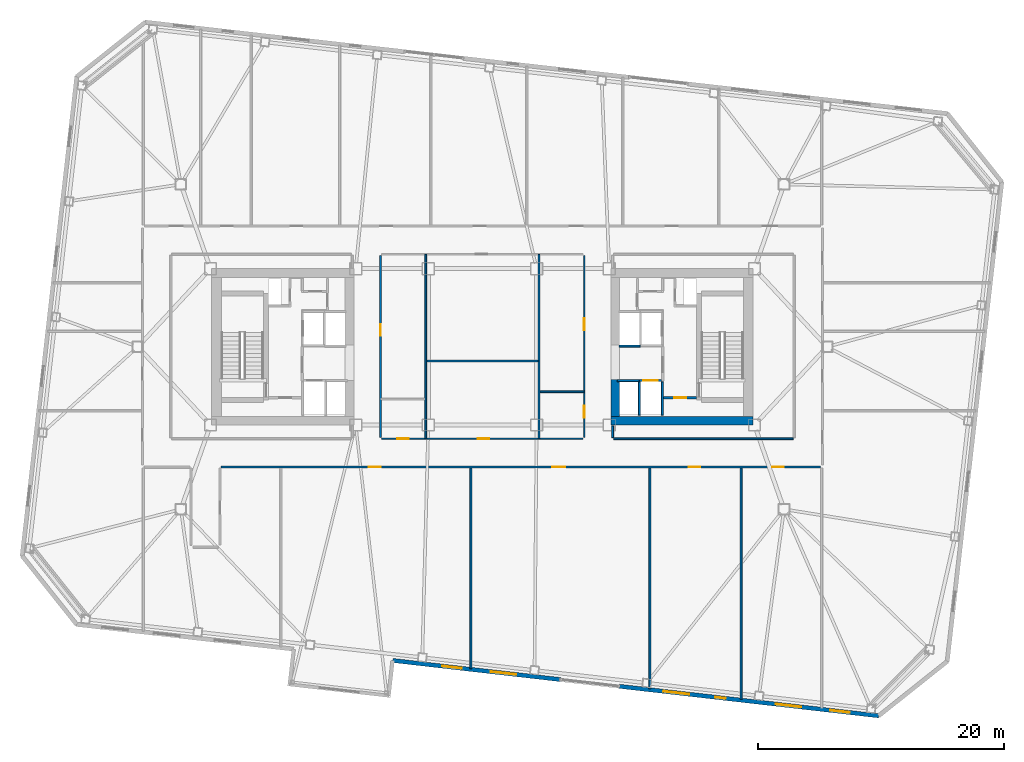
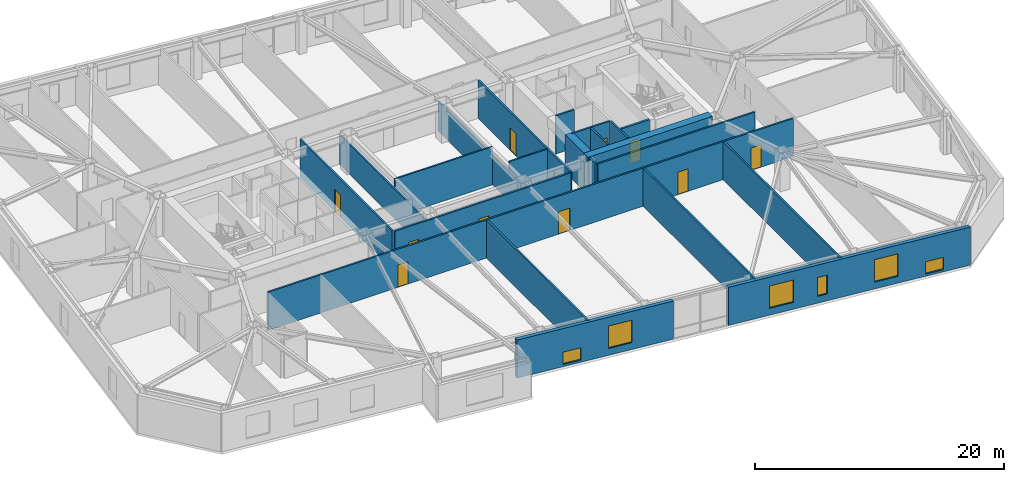
# One storey, part 11 of 19: 23 walls, 11 doors, 6 windows, 17 openings.
"""IFC4 building model written with IfcOpenShell, lengths in metres."""

import ifcopenshell
import ifcopenshell.guid

model = None  # the IFC model being written
_history = None  # IfcOwnerHistory: only IFC2X3 demands one
_inside = {}  # id of a spatial element -> (the spatial element, [elements in it])
_under = {}  # id of a project, library or spatial element -> (it, [spatial elements below it])
_declared = {}  # id of a project -> (the project, [libraries it declares])
_typed = {}  # id of a type object -> (the type object, [elements of that type])
_made_of = {}  # id of a material, layer set ... -> (it, [elements and type objects made of it])


def new_model(schema):
    """Start an empty IFC model of exactly this schema.

    Asked for "IFC4X3", IfcOpenShell would pick the latest addendum, in which some entities
    have other attributes; the version numbers below select the first issue.
    IFC2X3 requires an IfcOwnerHistory on every rooted entity: one is made here for all.
    """
    global model, _history
    if schema == "IFC4X3":
        model = ifcopenshell.file(schema_version=(4, 3, 0, 0))
    else:
        model = ifcopenshell.file(schema=schema)
    _inside.clear()
    _under.clear()
    _declared.clear()
    _typed.clear()
    _made_of.clear()
    _history = None
    if model.schema == "IFC2X3":
        org = make("IfcOrganization", Name="unknown")
        user = make(
            "IfcPersonAndOrganization",
            ThePerson=make("IfcPerson", FamilyName="unknown"),
            TheOrganization=org,
        )
        app = make(
            "IfcApplication",
            ApplicationDeveloper=org,
            Version="unknown",
            ApplicationFullName="unknown",
            ApplicationIdentifier="unknown",
        )
        _history = make(
            "IfcOwnerHistory",
            OwningUser=user,
            OwningApplication=app,
            ChangeAction="ADDED",
            CreationDate=0,
        )
    return model


def make(cls, **values):
    """One entity of the class cls with the attributes given. An attribute that is None is left unset."""
    return model.create_entity(
        cls, **{name: value for name, value in values.items() if value is not None}
    )


def rooted(cls, **values):
    """An entity with a GlobalId (a new one), such as an element, a storey or a relation."""
    return make(cls, GlobalId=ifcopenshell.guid.new(), OwnerHistory=_history, **values)


def si_unit(unit_type, name, prefix=None):
    """IfcSIUnit, for example si_unit("LENGTHUNIT", "METRE", prefix="MILLI")."""
    return make("IfcSIUnit", UnitType=unit_type, Prefix=prefix, Name=name)


def assignment(units):
    """IfcUnitAssignment: the units of a project."""
    return None if units is None else make("IfcUnitAssignment", Units=units)


def point(xyz):
    """IfcCartesianPoint."""
    return None if xyz is None else make("IfcCartesianPoint", Coordinates=xyz)


def direction(xyz):
    """IfcDirection."""
    return None if xyz is None else make("IfcDirection", DirectionRatios=xyz)


def frame(location, z_axis=None, x_axis=None):
    """IfcAxis2Placement3D, a coordinate frame: its origin and axes. An axis left out is left unset."""
    return make(
        "IfcAxis2Placement3D",
        Location=point(location),
        Axis=direction(z_axis),
        RefDirection=direction(x_axis),
    )


def frame_2d(location, x_axis=None):
    """IfcAxis2Placement2D, a coordinate frame in the plane: its origin and x axis."""
    return make(
        "IfcAxis2Placement2D", Location=point(location), RefDirection=direction(x_axis)
    )


def origin():
    """The frame at (0, 0, 0) with its axes left unset."""
    return frame((0.0, 0.0, 0.0))


def place(relative_to, where):
    """IfcLocalPlacement: puts the frame where relative to a parent placement (None: the world)."""
    return make(
        "IfcLocalPlacement", PlacementRelTo=relative_to, RelativePlacement=where
    )


def context(
    kind, dimensions, precision=None, world=None, true_north=None, identifier=None
):
    """IfcGeometricRepresentationContext, for example the 3D "Model" context."""
    return make(
        "IfcGeometricRepresentationContext",
        ContextIdentifier=identifier,
        ContextType=kind,
        CoordinateSpaceDimension=dimensions,
        Precision=precision,
        WorldCoordinateSystem=world,
        TrueNorth=true_north,
    )


def subcontext(parent, identifier, kind, view, scale=None):
    """IfcGeometricRepresentationSubContext, for example "Body" below "Model"."""
    return make(
        "IfcGeometricRepresentationSubContext",
        ContextIdentifier=identifier,
        ContextType=kind,
        ParentContext=parent,
        TargetScale=scale,
        TargetView=view,
    )


def project(units=None, contexts=None):
    """IfcProject with its units and contexts."""
    return rooted(
        "IfcProject",
        Name="project",
        RepresentationContexts=contexts,
        UnitsInContext=assignment(units),
    )


def spatial(cls, under=None, at=None, **own):
    """A site, building, storey or space (cls), placed at a placement, below another one or the project."""
    s = rooted(cls, ObjectPlacement=at, **own)
    if under is not None:
        _under.setdefault(under.id(), (under, []))[1].append(s)
    return s


def profile(cls, at=None, kind="AREA", **sizes):
    """A parametric profile (cls). Its sizes go by their IFC names, for example OverallWidth=200.0."""
    return make(cls, ProfileType=kind, Position=at, **sizes)


def rectangle(**sizes):
    """IfcRectangleProfileDef."""
    return profile("IfcRectangleProfileDef", **sizes)


def extrude(swept, where, along, depth):
    """IfcExtrudedAreaSolid: the profile swept, set in the frame where, extruded along a direction by depth."""
    return make(
        "IfcExtrudedAreaSolid",
        SweptArea=swept,
        Position=where,
        ExtrudedDirection=direction(along),
        Depth=depth,
    )


def shape(context_of_items, identifier, shape_type, items):
    """IfcShapeRepresentation: the items that make up one representation, for example the "Body"."""
    return make(
        "IfcShapeRepresentation",
        ContextOfItems=context_of_items,
        RepresentationIdentifier=identifier,
        RepresentationType=shape_type,
        Items=items,
    )


def material(Name=None, Category=None):
    """IfcMaterial."""
    return make("IfcMaterial", Name=Name, Category=Category)


def layer(
    of_material, thickness, ventilated=None, Name=None, Category=None, Priority=None
):
    """IfcMaterialLayer: one layer of a wall or slab, of a material (None: an air gap)."""
    return make(
        "IfcMaterialLayer",
        Material=of_material,
        LayerThickness=thickness,
        IsVentilated=ventilated,
        Name=Name,
        Category=Category,
        Priority=Priority,
    )


def layer_set(layers, Name=None):
    """IfcMaterialLayerSet."""
    return make("IfcMaterialLayerSet", MaterialLayers=layers, LayerSetName=Name)


def made_of(thing, what):
    """Note that an element or type object is made of a material, layer set ...; save() writes the relation."""
    if what is not None:
        _made_of.setdefault(what.id(), (what, []))[1].append(thing)
    return thing


def type_object(cls, material=None, **own):
    """A type object (cls), such as IfcWallType, which elements share."""
    return made_of(rooted(cls, **own), material)


def element(
    cls,
    number,
    at=None,
    inside=None,
    cuts=None,
    type_object=None,
    material=None,
    context=None,
    identifier="Body",
    shape_type=None,
    held_by="IfcProductDefinitionShape",
    body=None,
    shapes=None,
    **own,
):
    """One element of the class cls, such as IfcWall. Its Tag is "e" and its number.

    at: its placement. inside: the storey or other place that contains it. cuts: it is an
    opening in that element (IfcRelVoidsElement). A single representation is given by context,
    identifier, shape_type and body (its items); several are given by shapes. held_by: the class
    of the entity that holds the representations. save() writes the other relations.
    """
    e = rooted(cls, Tag="e%d" % number, ObjectPlacement=at, **own)
    if body is not None:
        shapes = [shape(context, identifier, shape_type, body)]
    if shapes is not None:
        e.Representation = make(held_by, Representations=shapes)
    if inside is not None:
        _inside.setdefault(inside.id(), (inside, []))[1].append(e)
    if cuts is not None:
        rooted(
            "IfcRelVoidsElement", RelatingBuildingElement=cuts, RelatedOpeningElement=e
        )
    if type_object is not None:
        _typed.setdefault(type_object.id(), (type_object, []))[1].append(e)
    return made_of(e, material)


def fill(opening, filler):
    """IfcRelFillsElement: the door or window that sits in an opening."""
    return rooted(
        "IfcRelFillsElement",
        RelatingOpeningElement=opening,
        RelatedBuildingElement=filler,
    )


def aggregate(whole, parts):
    """IfcRelAggregates: a whole, such as a stair, and the parts it consists of."""
    return rooted("IfcRelAggregates", RelatingObject=whole, RelatedObjects=parts)


def save(model, path):
    """Write the relations noted so far, then the file.

    IfcRelAggregates (storeys below a building ...), IfcRelContainedInSpatialStructure (elements
    in a storey), IfcRelDefinesByType, IfcRelAssociatesMaterial and IfcRelDeclares: one each for
    every whole, place, type object, material and project.
    """
    for whole, parts in _under.values():
        aggregate(whole, parts)
    for where, things in _inside.values():
        rooted(
            "IfcRelContainedInSpatialStructure",
            RelatedElements=things,
            RelatingStructure=where,
        )
    for kind, things in _typed.values():
        rooted("IfcRelDefinesByType", RelatedObjects=things, RelatingType=kind)
    for what, things in _made_of.values():
        rooted("IfcRelAssociatesMaterial", RelatedObjects=things, RelatingMaterial=what)
    for by, libraries in _declared.values():
        rooted("IfcRelDeclares", RelatingContext=by, RelatedDefinitions=libraries)
    model.write(path)


model = new_model("IFC4")

# Units and contexts
model_context = context("Model", 3, precision=1e-05, world=origin(), true_north=direction((0.0, 1.0)))
body_context = subcontext(model_context, "Body", "Model", "MODEL_VIEW")
ifc_project = project(units=[si_unit("LENGTHUNIT", "METRE"), si_unit("AREAUNIT", "SQUARE_METRE"), si_unit("VOLUMEUNIT", "CUBIC_METRE"), si_unit("PLANEANGLEUNIT", "RADIAN"), si_unit("MASSUNIT", "GRAM", prefix="KILO")], contexts=[model_context])

# Site, building, storey
site_placement = place(None, origin())
site = spatial("IfcSite", under=ifc_project, at=site_placement, CompositionType="ELEMENT")
building_placement = place(site_placement, origin())
building = spatial("IfcBuilding", under=site, at=building_placement, Name="Tavrogorsk Clinical Tower", CompositionType="ELEMENT")
storey_placement = place(building_placement, frame((0.0, 0.0, 101.39990234375)))
storey = spatial("IfcBuildingStorey", under=building, at=storey_placement, Name="L22", CompositionType="ELEMENT", Elevation=101.39990234375)

# Wall, opening, door
ifc_material_1 = material(Name="Concrete B60", Category="concrete")
ifc_layer_1 = layer(ifc_material_1, 0.199951171875)
ifc_layer_set_1 = layer_set([ifc_layer_1], Name="Concrete B60")
wall_type_1 = type_object("IfcWallType", Name="CoreFireWall_200", PredefinedType="SOLIDWALL", material=ifc_layer_set_1)
wall_1_placement = place(storey_placement, frame((14.719970703125, -4.139892578125, 0.0), z_axis=(0.0, 0.0, 1.0), x_axis=(1.0, 0.0, 0.0)))
wall_1 = element("IfcWall", 1, at=wall_1_placement, inside=storey, type_object=wall_type_1, Name="L22 Core East South Core Room Fire Wall", PredefinedType="SOLIDWALL", context=body_context, shape_type="SweptSolid", body=[
    extrude(rectangle(XDim=2.659912109375, YDim=0.199951171875, at=frame_2d((1.330078125, 0.0))), origin(), (0.0, 0.0, 1.0), 3.739990234375),
])
opening_1_placement = place(wall_1_placement, frame((0.8798828125, 0.0, 0.0)))
opening_1 = element("IfcOpeningElement", 2, at=opening_1_placement, cuts=wall_1, Name="Opening ID-02", PredefinedType="OPENING", context=body_context, shape_type="SweptSolid", body=[
    extrude(rectangle(XDim=0.949951171875, YDim=2.199951171875, at=frame_2d((0.47509765625, 1.10009765625))), frame((0.0, 0.10986328125, 0.0), z_axis=(0.0, -1.0, 0.0), x_axis=(1.0, 0.0, 0.0)), (0.0, 0.0, 1.0), 0.219970703125),
])
ifc_material_2 = material(Name="Laminated timber leaf on aluminium frame", Category="wood")
door_type_1 = type_object("IfcDoorType", Name="InteriorDoor_ID02_950", OperationType="NOTDEFINED", PredefinedType="DOOR", material=ifc_material_2)
door_1_placement = place(opening_1_placement, origin())
door_1 = element("IfcDoor", 3, at=door_1_placement, inside=storey, type_object=door_type_1, Name="L22 Core East South Core Room Door", OperationType="SINGLE_SWING_LEFT", OverallHeight=2.199951171875, OverallWidth=0.949951171875, PredefinedType="DOOR", context=body_context, shape_type="SweptSolid", body=[
    extrude(rectangle(XDim=0.949951171875, YDim=2.199951171875, at=frame_2d((0.47509765625, 1.10009765625))), frame((0.0, 0.02490234375, 0.0), z_axis=(0.0, -1.0, 0.0), x_axis=(1.0, 0.0, 0.0)), (0.0, 0.0, 1.0), 0.050048828125),
])
fill(opening_1, door_1)

# Walls
ifc_material_3 = material(Name="Lightweight concrete blockwork B15", Category="masonry")
ifc_layer_2 = layer(ifc_material_3, 0.139892578125)
ifc_layer_set_2 = layer_set([ifc_layer_2], Name="Lightweight concrete blockwork B15")
wall_type_2 = type_object("IfcWallType", Name="PartitionWall_140", PredefinedType="PARTITIONING", material=ifc_layer_set_2)
for number, where, z_axis, x_axis, name in (
    (4, (-4.60009765625, -7.465087890625, 0.0), (0.0, 0.0, 1.0), (0.0, 1.0, 0.0), "L22 Central Spine Partition 1"),
    (5, (4.60009765625, -7.465087890625, 0.0), (0.0, 0.0, 1.0), (0.0, 1.0, 0.0), "L22 Central Spine Partition 2"),
):
    element("IfcWall", number, at=place(storey_placement, frame(where, z_axis=z_axis, x_axis=x_axis)), inside=storey, type_object=wall_type_2, Name=name, PredefinedType="PARTITIONING", context=body_context, shape_type="SweptSolid", body=[
        extrude(rectangle(XDim=14.97998046875, YDim=0.139892578125, at=frame_2d((7.489990234375, 0.0))), origin(), (0.0, 0.0, 1.0), 2.93505859375),
    ])
wall_2_placement = place(storey_placement, frame((-4.52490234375, -1.14990234375, 0.0), z_axis=(0.0, 0.0, 1.0), x_axis=(1.0, 0.0, 0.0)))
element("IfcWall", 6, at=wall_2_placement, inside=storey, type_object=wall_type_2, Name="L22 Central Spine Partition 3", PredefinedType="PARTITIONING", context=body_context, shape_type="SweptSolid", body=[
    extrude(rectangle(XDim=9.0498046875, YDim=0.139892578125, at=frame_2d((4.52490234375, 0.0))), origin(), (0.0, 0.0, 1.0), 3.739990234375),
])
wall_3_placement = place(storey_placement, frame((4.675048828125, -3.64990234375, 0.0), z_axis=(0.0, 0.0, 1.0), x_axis=(1.0, 0.0, 0.0)))
element("IfcWall", 7, at=wall_3_placement, inside=storey, type_object=wall_type_2, Name="L22 Central Spine Partition 5", PredefinedType="PARTITIONING", context=body_context, shape_type="SweptSolid", body=[
    extrude(rectangle(XDim=3.58984375, YDim=0.139892578125, at=frame_2d((1.794921875, 0.0))), origin(), (0.0, 0.0, 1.0), 3.739990234375),
])

# Wall, openings, doors
ifc_material_4 = material(Name="Lightweight concrete blockwork B15", Category="masonry")
ifc_layer_3 = layer(ifc_material_4, 0.159912109375)
ifc_layer_set_3 = layer_set([ifc_layer_3], Name="Lightweight concrete blockwork B15")
wall_type_3 = type_object("IfcWallType", Name="PartitionWall_160", PredefinedType="PARTITIONING", material=ifc_layer_set_3)
wall_4_placement = place(storey_placement, frame((27.465087890625, -9.780029296875, 0.0), z_axis=(0.0, 0.0, 1.0), x_axis=(-1.0, 0.0, 0.0)))
wall_4 = element("IfcWall", 8, at=wall_4_placement, inside=storey, type_object=wall_type_3, Name="L22 Corridor Partition 05", PredefinedType="PARTITIONING", context=body_context, shape_type="SweptSolid", body=[
    extrude(rectangle(XDim=48.7001953125, YDim=0.159912109375, at=frame_2d((24.35009765625, 0.0))), origin(), (0.0, 0.0, 1.0), 3.739990234375),
])
opening_2_placement = place(wall_4_placement, frame((35.740478515625, 0.0, 0.0)))
opening_2 = element("IfcOpeningElement", 9, at=opening_2_placement, cuts=wall_4, Name="Opening ID-02", PredefinedType="OPENING", context=body_context, shape_type="SweptSolid", body=[
    extrude(rectangle(XDim=0.949951171875, YDim=2.199951171875, at=frame_2d((0.47509765625, 1.10009765625))), frame((0.0, 0.08984375, 0.0), z_axis=(0.0, -1.0, 0.0), x_axis=(1.0, 0.0, 0.0)), (0.0, 0.0, 1.0), 0.179931640625),
])
opening_3_placement = place(wall_4_placement, frame((20.7470703125, 0.0, 0.0)))
opening_3 = element("IfcOpeningElement", 10, at=opening_3_placement, cuts=wall_4, Name="Opening ID-04", PredefinedType="OPENING", context=body_context, shape_type="SweptSolid", body=[
    extrude(rectangle(XDim=1.050048828125, YDim=2.199951171875, at=frame_2d((0.52490234375, 1.10009765625))), frame((0.0, 0.08984375, 0.0), z_axis=(0.0, -1.0, 0.0), x_axis=(1.0, 0.0, 0.0)), (0.0, 0.0, 1.0), 0.179931640625),
])
opening_4_placement = place(wall_4_placement, frame((9.762451171875, 0.0, 0.0)))
opening_4 = element("IfcOpeningElement", 11, at=opening_4_placement, cuts=wall_4, Name="Opening ID-02", PredefinedType="OPENING", context=body_context, shape_type="SweptSolid", body=[
    extrude(rectangle(XDim=0.949951171875, YDim=2.199951171875, at=frame_2d((0.47509765625, 1.10009765625))), frame((0.0, 0.08984375, 0.0), z_axis=(0.0, -1.0, 0.0), x_axis=(1.0, 0.0, 0.0)), (0.0, 0.0, 1.0), 0.179931640625),
])
opening_5_placement = place(wall_4_placement, frame((2.981689453125, 0.0, 0.0)))
opening_5 = element("IfcOpeningElement", 12, at=opening_5_placement, cuts=wall_4, Name="Opening ID-02", PredefinedType="OPENING", context=body_context, shape_type="SweptSolid", body=[
    extrude(rectangle(XDim=0.949951171875, YDim=2.199951171875, at=frame_2d((0.47509765625, 1.10009765625))), frame((0.0, 0.08984375, 0.0), z_axis=(0.0, -1.0, 0.0), x_axis=(1.0, 0.0, 0.0)), (0.0, 0.0, 1.0), 0.179931640625),
])
ifc_material_5 = material(Name="Antibacterial HPL consultation door on aluminium frame", Category="aluminium")
door_type_2 = type_object("IfcDoorType", Name="ConsultDoor_ID04_1050", OperationType="NOTDEFINED", PredefinedType="DOOR", material=ifc_material_5)
door_2_placement = place(opening_3_placement, origin())
door_2 = element("IfcDoor", 13, at=door_2_placement, inside=storey, type_object=door_type_2, Name="L22 South Medical Library Reading Lounge 02B Door", OperationType="SINGLE_SWING_LEFT", OverallHeight=2.199951171875, OverallWidth=1.050048828125, PredefinedType="DOOR", context=body_context, shape_type="SweptSolid", body=[
    extrude(rectangle(XDim=1.050048828125, YDim=2.199951171875, at=frame_2d((0.52490234375, 1.10009765625))), frame((0.0, 0.02490234375, 0.0), z_axis=(0.0, -1.0, 0.0), x_axis=(1.0, 0.0, 0.0)), (0.0, 0.0, 1.0), 0.050048828125),
])
fill(opening_3, door_2)
door_3_placement = place(opening_2_placement, origin())
door_3 = element("IfcDoor", 14, at=door_3_placement, inside=storey, type_object=door_type_1, Name="L22 South Biomedical Teaching Archive Store 02A Door", OperationType="SINGLE_SWING_RIGHT", OverallHeight=2.199951171875, OverallWidth=0.949951171875, PredefinedType="DOOR", context=body_context, shape_type="SweptSolid", body=[
    extrude(rectangle(XDim=0.949951171875, YDim=2.199951171875, at=frame_2d((0.47509765625, 1.10009765625))), frame((0.0, 0.02490234375, 0.0), z_axis=(0.0, -1.0, 0.0), x_axis=(1.0, 0.0, 0.0)), (0.0, 0.0, 1.0), 0.050048828125),
])
fill(opening_2, door_3)
door_4_placement = place(opening_4_placement, origin())
door_4 = element("IfcDoor", 15, at=door_4_placement, inside=storey, type_object=door_type_1, Name="L22 South Clinical Informatics Research Office 03A Door", OperationType="SINGLE_SWING_RIGHT", OverallHeight=2.199951171875, OverallWidth=0.949951171875, PredefinedType="DOOR", context=body_context, shape_type="SweptSolid", body=[
    extrude(rectangle(XDim=0.949951171875, YDim=2.199951171875, at=frame_2d((0.47509765625, 1.10009765625))), frame((0.0, 0.02490234375, 0.0), z_axis=(0.0, -1.0, 0.0), x_axis=(1.0, 0.0, 0.0)), (0.0, 0.0, 1.0), 0.050048828125),
])
fill(opening_4, door_4)
door_5_placement = place(opening_5_placement, origin())
door_5 = element("IfcDoor", 16, at=door_5_placement, inside=storey, type_object=door_type_1, Name="L22 South Surgical Simulation Debriefing Hall 03B Door", OperationType="SINGLE_SWING_LEFT", OverallHeight=2.199951171875, OverallWidth=0.949951171875, PredefinedType="DOOR", context=body_context, shape_type="SweptSolid", body=[
    extrude(rectangle(XDim=0.949951171875, YDim=2.199951171875, at=frame_2d((0.47509765625, 1.10009765625))), frame((0.0, 0.02490234375, 0.0), z_axis=(0.0, -1.0, 0.0), x_axis=(1.0, 0.0, 0.0)), (0.0, 0.0, 1.0), 0.050048828125),
])
fill(opening_5, door_5)

# Walls
wall_5_placement = place(storey_placement, frame((10.580078125, -6.419921875, 0.0), z_axis=(0.0, 0.0, 1.0), x_axis=(0.0, -1.0, 0.0)))
element("IfcWall", 17, at=wall_5_placement, inside=storey, type_object=wall_type_3, Name="L22 Corridor Partition 11", PredefinedType="PARTITIONING", context=body_context, shape_type="SweptSolid", body=[
    extrude(rectangle(XDim=0.965087890625, YDim=0.159912109375, at=frame_2d((0.482421875, 0.0))), origin(), (0.0, 0.0, 1.0), 3.739990234375),
])
wall_6_placement = place(storey_placement, frame((10.6650390625, -7.469970703125, 0.0), z_axis=(0.0, 0.0, 1.0), x_axis=(1.0, 0.0, 0.0)))
element("IfcWall", 18, at=wall_6_placement, inside=storey, type_object=wall_type_3, Name="L22 Corridor Partition 12", PredefinedType="PARTITIONING", context=body_context, shape_type="SweptSolid", body=[
    extrude(rectangle(XDim=14.570068359375, YDim=0.159912109375, at=frame_2d((7.28515625, 0.0))), origin(), (0.0, 0.0, 1.0), 3.739990234375),
])

# Wall, opening, door
wall_7_placement = place(storey_placement, frame((-8.27001953125, 7.43505859375, 0.0), z_axis=(0.0, 0.0, 1.0), x_axis=(0.0, -1.0, 0.0)))
wall_7 = element("IfcWall", 19, at=wall_7_placement, inside=storey, type_object=wall_type_3, Name="L22 Corridor Partition 15", PredefinedType="PARTITIONING", context=body_context, shape_type="SweptSolid", body=[
    extrude(rectangle(XDim=14.820068359375, YDim=0.159912109375, at=frame_2d((7.41015625, 0.0))), origin(), (0.0, 0.0, 1.0), 3.739990234375),
])
opening_6_placement = place(wall_7_placement, frame((5.60400390625, 0.0, 0.0)))
opening_6 = element("IfcOpeningElement", 20, at=opening_6_placement, cuts=wall_7, Name="Opening ID-02", PredefinedType="OPENING", context=body_context, shape_type="SweptSolid", body=[
    extrude(rectangle(XDim=0.949951171875, YDim=2.199951171875, at=frame_2d((0.47509765625, 1.10009765625))), frame((0.0, 0.08984375, 0.0), z_axis=(0.0, -1.0, 0.0), x_axis=(1.0, 0.0, 0.0)), (0.0, 0.0, 1.0), 0.179931640625),
])
door_6_placement = place(opening_6_placement, origin())
door_6 = element("IfcDoor", 21, at=door_6_placement, inside=storey, type_object=door_type_1, Name="L22 Ward Nourishment Pantry Door", OperationType="SINGLE_SWING_LEFT", OverallHeight=2.199951171875, OverallWidth=0.949951171875, PredefinedType="DOOR", context=body_context, shape_type="SweptSolid", body=[
    extrude(rectangle(XDim=0.949951171875, YDim=2.199951171875, at=frame_2d((0.47509765625, 1.10009765625))), frame((0.0, 0.02490234375, 0.0), z_axis=(0.0, -1.0, 0.0), x_axis=(1.0, 0.0, 0.0)), (0.0, 0.0, 1.0), 0.050048828125),
])
fill(opening_6, door_6)

# Wall, openings, doors
wall_8_placement = place(storey_placement, frame((-8.18505859375, -7.469970703125, 0.0), z_axis=(0.0, 0.0, 1.0), x_axis=(1.0, 0.0, 0.0)))
wall_8 = element("IfcWall", 22, at=wall_8_placement, inside=storey, type_object=wall_type_3, Name="L22 Corridor Partition 16", PredefinedType="PARTITIONING", context=body_context, shape_type="SweptSolid", body=[
    extrude(rectangle(XDim=16.3701171875, YDim=0.159912109375, at=frame_2d((8.18505859375, 0.0))), origin(), (0.0, 0.0, 1.0), 3.739990234375),
])
opening_7_placement = place(wall_8_placement, frame((1.254150390625, 0.0, 0.0)))
opening_7 = element("IfcOpeningElement", 23, at=opening_7_placement, cuts=wall_8, Name="Opening ID-02", PredefinedType="OPENING", context=body_context, shape_type="SweptSolid", body=[
    extrude(rectangle(XDim=0.949951171875, YDim=2.199951171875, at=frame_2d((0.47509765625, 1.10009765625))), frame((0.0, 0.08984375, 0.0), z_axis=(0.0, -1.0, 0.0), x_axis=(1.0, 0.0, 0.0)), (0.0, 0.0, 1.0), 0.179931640625),
])
opening_8_placement = place(wall_8_placement, frame((7.794921875, 0.0, 0.0)))
opening_8 = element("IfcOpeningElement", 24, at=opening_8_placement, cuts=wall_8, Name="Opening ID-02", PredefinedType="OPENING", context=body_context, shape_type="SweptSolid", body=[
    extrude(rectangle(XDim=0.949951171875, YDim=2.199951171875, at=frame_2d((0.47509765625, 1.10009765625))), frame((0.0, 0.08984375, 0.0), z_axis=(0.0, -1.0, 0.0), x_axis=(1.0, 0.0, 0.0)), (0.0, 0.0, 1.0), 0.179931640625),
])
door_7_placement = place(opening_7_placement, origin())
door_7 = element("IfcDoor", 25, at=door_7_placement, inside=storey, type_object=door_type_1, Name="L22 Accessible Patient Lavatory Door", OperationType="SINGLE_SWING_RIGHT", OverallHeight=2.199951171875, OverallWidth=0.949951171875, PredefinedType="DOOR", context=body_context, shape_type="SweptSolid", body=[
    extrude(rectangle(XDim=0.949951171875, YDim=2.199951171875, at=frame_2d((0.47509765625, 1.10009765625))), frame((0.0, 0.02490234375, 0.0), z_axis=(0.0, -1.0, 0.0), x_axis=(1.0, 0.0, 0.0)), (0.0, 0.0, 1.0), 0.050048828125),
])
fill(opening_7, door_7)
door_8_placement = place(opening_8_placement, origin())
door_8 = element("IfcDoor", 26, at=door_8_placement, inside=storey, type_object=door_type_1, Name="L22 Multidisciplinary Conference Room Door", OperationType="SINGLE_SWING_RIGHT", OverallHeight=2.199951171875, OverallWidth=0.949951171875, PredefinedType="DOOR", context=body_context, shape_type="SweptSolid", body=[
    extrude(rectangle(XDim=0.949951171875, YDim=2.199951171875, at=frame_2d((0.47509765625, 1.10009765625))), frame((0.0, 0.02490234375, 0.0), z_axis=(0.0, -1.0, 0.0), x_axis=(1.0, 0.0, 0.0)), (0.0, 0.0, 1.0), 0.050048828125),
])
fill(opening_8, door_8)

wall_9_placement = place(storey_placement, frame((8.27001953125, -7.385009765625, 0.0), z_axis=(0.0, 0.0, 1.0), x_axis=(0.0, 1.0, 0.0)))
wall_9 = element("IfcWall", 27, at=wall_9_placement, inside=storey, type_object=wall_type_3, Name="L22 Corridor Partition 17", PredefinedType="PARTITIONING", context=body_context, shape_type="SweptSolid", body=[
    extrude(rectangle(XDim=14.820068359375, YDim=0.159912109375, at=frame_2d((7.41015625, 0.0))), origin(), (0.0, 0.0, 1.0), 3.739990234375),
])
opening_9_placement = place(wall_9_placement, frame((1.629150390625, 0.0, 0.0)))
opening_9 = element("IfcOpeningElement", 28, at=opening_9_placement, cuts=wall_9, Name="Opening ID-02", PredefinedType="OPENING", context=body_context, shape_type="SweptSolid", body=[
    extrude(rectangle(XDim=0.949951171875, YDim=2.199951171875, at=frame_2d((0.47509765625, 1.10009765625))), frame((0.0, 0.08984375, 0.0), z_axis=(0.0, -1.0, 0.0), x_axis=(1.0, 0.0, 0.0)), (0.0, 0.0, 1.0), 0.179931640625),
])
opening_10_placement = place(wall_9_placement, frame((8.73583984375, 0.0, 0.0)))
opening_10 = element("IfcOpeningElement", 29, at=opening_10_placement, cuts=wall_9, Name="Opening ID-02", PredefinedType="OPENING", context=body_context, shape_type="SweptSolid", body=[
    extrude(rectangle(XDim=0.949951171875, YDim=2.199951171875, at=frame_2d((0.47509765625, 1.10009765625))), frame((0.0, 0.08984375, 0.0), z_axis=(0.0, -1.0, 0.0), x_axis=(1.0, 0.0, 0.0)), (0.0, 0.0, 1.0), 0.179931640625),
])
door_9_placement = place(opening_9_placement, origin())
door_9 = element("IfcDoor", 30, at=door_9_placement, inside=storey, type_object=door_type_1, Name="L22 Staff & Visitor Accessible WC Door", OperationType="SINGLE_SWING_RIGHT", OverallHeight=2.199951171875, OverallWidth=0.949951171875, PredefinedType="DOOR", context=body_context, shape_type="SweptSolid", body=[
    extrude(rectangle(XDim=0.949951171875, YDim=2.199951171875, at=frame_2d((0.47509765625, 1.10009765625))), frame((0.0, 0.02490234375, 0.0), z_axis=(0.0, -1.0, 0.0), x_axis=(1.0, 0.0, 0.0)), (0.0, 0.0, 1.0), 0.050048828125),
])
fill(opening_9, door_9)
door_10_placement = place(opening_10_placement, origin())
door_10 = element("IfcDoor", 31, at=door_10_placement, inside=storey, type_object=door_type_1, Name="L22 Attending Physician Office Door", OperationType="SINGLE_SWING_LEFT", OverallHeight=2.199951171875, OverallWidth=0.949951171875, PredefinedType="DOOR", context=body_context, shape_type="SweptSolid", body=[
    extrude(rectangle(XDim=0.949951171875, YDim=2.199951171875, at=frame_2d((0.47509765625, 1.10009765625))), frame((0.0, 0.02490234375, 0.0), z_axis=(0.0, -1.0, 0.0), x_axis=(1.0, 0.0, 0.0)), (0.0, 0.0, 1.0), 0.050048828125),
])
fill(opening_10, door_10)

# Walls
wall_10_placement = place(storey_placement, frame((13.60009765625, -27.794921875, 0.0), z_axis=(0.0, 0.0, 1.0), x_axis=(0.0, 1.0, 0.0)))
element("IfcWall", 32, at=wall_10_placement, inside=storey, type_object=wall_type_3, Name="L22 South Room Partition 2", PredefinedType="PARTITIONING", context=body_context, shape_type="SweptSolid", body=[
    extrude(rectangle(XDim=17.929931640625, YDim=0.159912109375, at=frame_2d((8.96484375, 0.0))), origin(), (0.0, 0.0, 1.0), 3.739990234375),
])
wall_11_placement = place(storey_placement, frame((-0.944091796875, -26.137939453125, 0.0), z_axis=(0.0, 0.0, 1.0), x_axis=(0.0, 1.0, 0.0)))
element("IfcWall", 33, at=wall_11_placement, inside=storey, type_object=wall_type_3, Name="L22 South Sub-Partition 2", PredefinedType="PARTITIONING", context=body_context, shape_type="SweptSolid", body=[
    extrude(rectangle(XDim=16.27294921875, YDim=0.159912109375, at=frame_2d((8.136474609375, 0.0))), origin(), (0.0, 0.0, 1.0), 3.739990234375),
])
wall_12_placement = place(storey_placement, frame((21.02490234375, -28.640869140625, 0.0), z_axis=(0.0, 0.0, 1.0), x_axis=(0.0, 1.0, 0.0)))
element("IfcWall", 34, at=wall_12_placement, inside=storey, type_object=wall_type_3, Name="L22 South Sub-Partition 3", PredefinedType="PARTITIONING", context=body_context, shape_type="SweptSolid", body=[
    extrude(rectangle(XDim=18.77587890625, YDim=0.159912109375, at=frame_2d((9.387939453125, 0.0))), origin(), (0.0, 0.0, 1.0), 3.739990234375),
])

# Wall, openings, windows
ifc_material_6 = material(Name="Precast concrete B45 with limestone cladding", Category="masonry")
ifc_layer_4 = layer(ifc_material_6, 0.340087890625)
ifc_layer_set_4 = layer_set([ifc_layer_4], Name="Precast concrete B45 with limestone cladding")
wall_type_4 = type_object("IfcWallType", Name="PrecastLimestoneWall_340", PredefinedType="STANDARD", material=ifc_layer_set_4)
wall_13_placement = place(storey_placement, frame((-7.29345703125, -25.48486328125, 0.0), z_axis=(0.0, 0.0, 1.0), x_axis=(0.993571881197, -0.113202989776, 0.0)))
wall_13 = element("IfcWall", 35, at=wall_13_placement, inside=storey, type_object=wall_type_4, Name="L22 S Limestone Facade Wall 2", PredefinedType="STANDARD", context=body_context, shape_type="SweptSolid", body=[
    extrude(rectangle(XDim=13.72705078125, YDim=0.340087890625, at=frame_2d((6.863525390625, 0.0))), origin(), (0.0, 0.0, 1.0), 3.739990234375),
])
opening_11_placement = place(wall_13_placement, frame((4.039306640625, 0.0, 0.219970703125)))
opening_11 = element("IfcOpeningElement", 36, at=opening_11_placement, cuts=wall_13, Name="Opening WN-09", PredefinedType="OPENING", context=body_context, shape_type="SweptSolid", body=[
    extrude(rectangle(XDim=1.60009765625, YDim=1.199951171875, at=frame_2d((0.800048828125, 0.60009765625))), frame((0.0, 0.179931640625, 0.0), z_axis=(0.0, -1.0, 0.0), x_axis=(1.0, 0.0, 0.0)), (0.0, 0.0, 1.0), 0.360107421875),
])
opening_12_placement = place(wall_13_placement, frame((8.0107421875, 0.0, 0.669921875)))
opening_12 = element("IfcOpeningElement", 37, at=opening_12_placement, cuts=wall_13, Name="Opening WN-03", PredefinedType="OPENING", context=body_context, shape_type="SweptSolid", body=[
    extrude(rectangle(XDim=2.10009765625, YDim=2.199951171875, at=frame_2d((1.050048828125, 1.10009765625))), frame((0.0, 0.179931640625, 0.0), z_axis=(0.0, -1.0, 0.0), x_axis=(1.0, 0.0, 0.0)), (0.0, 0.0, 1.0), 0.360107421875),
])
ifc_material_7 = material(Name="Thermally broken aluminium frame and triple IGU", Category="aluminium")
window_type_1 = type_object("IfcWindowType", Name="LowHeadTransWin_1600x1200", PartitioningType="DOUBLE_PANEL_VERTICAL", PredefinedType="WINDOW", material=ifc_material_7)
window_1_placement = place(opening_11_placement, origin())
window_1 = element("IfcWindow", 38, at=window_1_placement, inside=storey, type_object=window_type_1, Name="L22 S Chicago Window 05", OverallHeight=1.199951171875, OverallWidth=1.60009765625, PartitioningType="SINGLE_PANEL", PredefinedType="WINDOW", context=body_context, shape_type="SweptSolid", body=[
    extrude(rectangle(XDim=1.60009765625, YDim=1.199951171875, at=frame_2d((0.800048828125, 0.60009765625))), frame((0.0, 0.030029296875, 0.0), z_axis=(0.0, -1.0, 0.0), x_axis=(1.0, 0.0, 0.0)), (0.0, 0.0, 1.0), 0.06005859375),
])
fill(opening_11, window_1)
ifc_material_8 = material(Name="Thermally broken aluminium frame and triple IGU", Category="aluminium")
window_type_2 = type_object("IfcWindowType", Name="PatientTwinWin_2100x2200", PartitioningType="DOUBLE_PANEL_VERTICAL", PredefinedType="WINDOW", material=ifc_material_8)
window_2_placement = place(opening_12_placement, origin())
window_2 = element("IfcWindow", 39, at=window_2_placement, inside=storey, type_object=window_type_2, Name="L22 S Chicago Window 06", OverallHeight=2.199951171875, OverallWidth=2.10009765625, PartitioningType="SINGLE_PANEL", PredefinedType="WINDOW", context=body_context, shape_type="SweptSolid", body=[
    extrude(rectangle(XDim=2.10009765625, YDim=2.199951171875, at=frame_2d((1.050048828125, 1.10009765625))), frame((0.0, 0.030029296875, 0.0), z_axis=(0.0, -1.0, 0.0), x_axis=(1.0, 0.0, 0.0)), (0.0, 0.0, 1.0), 0.06005859375),
])
fill(opening_12, window_2)

wall_14_placement = place(storey_placement, frame((11.114501953125, -27.582275390625, 0.0), z_axis=(0.0, 0.0, 1.0), x_axis=(0.993572655904, -0.113196190044, 0.0)))
wall_14 = element("IfcWall", 40, at=wall_14_placement, inside=storey, type_object=wall_type_4, Name="L22 S Limestone Facade Wall 3", PredefinedType="STANDARD", context=body_context, shape_type="SweptSolid", body=[
    extrude(rectangle(XDim=21.222900390625, YDim=0.340087890625, at=frame_2d((10.611328125, 0.0))), origin(), (0.0, 0.0, 1.0), 3.739990234375),
])
opening_13_placement = place(wall_14_placement, frame((3.616455078125, 0.0, 0.669921875)))
opening_13 = element("IfcOpeningElement", 41, at=opening_13_placement, cuts=wall_14, Name="Opening WN-03", PredefinedType="OPENING", context=body_context, shape_type="SweptSolid", body=[
    extrude(rectangle(XDim=2.10009765625, YDim=2.199951171875, at=frame_2d((1.050048828125, 1.10009765625))), frame((0.0, 0.179931640625, 0.0), z_axis=(0.0, -1.0, 0.0), x_axis=(1.0, 0.0, 0.0)), (0.0, 0.0, 1.0), 0.360107421875),
])
opening_14_placement = place(wall_14_placement, frame((7.837890625, 0.0, 0.669921875)))
opening_14 = element("IfcOpeningElement", 42, at=opening_14_placement, cuts=wall_14, Name="Opening WN-06", PredefinedType="OPENING", context=body_context, shape_type="SweptSolid", body=[
    extrude(rectangle(XDim=0.85009765625, YDim=1.85009765625, at=frame_2d((0.425048828125, 0.925048828125))), frame((0.0, 0.179931640625, 0.0), z_axis=(0.0, -1.0, 0.0), x_axis=(1.0, 0.0, 0.0)), (0.0, 0.0, 1.0), 0.360107421875),
])
opening_15_placement = place(wall_14_placement, frame((12.793701171875, 0.0, 0.669921875)))
opening_15 = element("IfcOpeningElement", 43, at=opening_15_placement, cuts=wall_14, Name="Opening WN-03", PredefinedType="OPENING", context=body_context, shape_type="SweptSolid", body=[
    extrude(rectangle(XDim=2.10009765625, YDim=2.199951171875, at=frame_2d((1.050048828125, 1.10009765625))), frame((0.0, 0.179931640625, 0.0), z_axis=(0.0, -1.0, 0.0), x_axis=(1.0, 0.0, 0.0)), (0.0, 0.0, 1.0), 0.360107421875),
])
opening_16_placement = place(wall_14_placement, frame((17.264892578125, 0.0, 0.219970703125)))
opening_16 = element("IfcOpeningElement", 44, at=opening_16_placement, cuts=wall_14, Name="Opening WN-09", PredefinedType="OPENING", context=body_context, shape_type="SweptSolid", body=[
    extrude(rectangle(XDim=1.60009765625, YDim=1.199951171875, at=frame_2d((0.800048828125, 0.60009765625))), frame((0.0, 0.179931640625, 0.0), z_axis=(0.0, -1.0, 0.0), x_axis=(1.0, 0.0, 0.0)), (0.0, 0.0, 1.0), 0.360107421875),
])
window_3_placement = place(opening_16_placement, origin())
window_3 = element("IfcWindow", 45, at=window_3_placement, inside=storey, type_object=window_type_1, Name="L22 S Chicago Window 10", OverallHeight=1.199951171875, OverallWidth=1.60009765625, PartitioningType="SINGLE_PANEL", PredefinedType="WINDOW", context=body_context, shape_type="SweptSolid", body=[
    extrude(rectangle(XDim=1.60009765625, YDim=1.199951171875, at=frame_2d((0.800048828125, 0.60009765625))), frame((0.0, 0.030029296875, 0.0), z_axis=(0.0, -1.0, 0.0), x_axis=(1.0, 0.0, 0.0)), (0.0, 0.0, 1.0), 0.06005859375),
])
fill(opening_16, window_3)
ifc_material_9 = material(Name="Thermally broken aluminium frame and triple IGU", Category="aluminium")
window_type_3 = type_object("IfcWindowType", Name="MullionSubWin_850x1850", PartitioningType="SINGLE_PANEL", PredefinedType="WINDOW", material=ifc_material_9)
window_4_placement = place(opening_14_placement, origin())
window_4 = element("IfcWindow", 46, at=window_4_placement, inside=storey, type_object=window_type_3, Name="L22 S Mullion Split Window 08A", OverallHeight=1.85009765625, OverallWidth=0.85009765625, PartitioningType="SINGLE_PANEL", PredefinedType="WINDOW", context=body_context, shape_type="SweptSolid", body=[
    extrude(rectangle(XDim=0.85009765625, YDim=1.85009765625, at=frame_2d((0.425048828125, 0.925048828125))), frame((0.0, 0.030029296875, 0.0), z_axis=(0.0, -1.0, 0.0), x_axis=(1.0, 0.0, 0.0)), (0.0, 0.0, 1.0), 0.06005859375),
])
fill(opening_14, window_4)
window_5_placement = place(opening_13_placement, origin())
window_5 = element("IfcWindow", 47, at=window_5_placement, inside=storey, type_object=window_type_2, Name="L22 S Chicago Window 07", OverallHeight=2.199951171875, OverallWidth=2.10009765625, PartitioningType="SINGLE_PANEL", PredefinedType="WINDOW", context=body_context, shape_type="SweptSolid", body=[
    extrude(rectangle(XDim=2.10009765625, YDim=2.199951171875, at=frame_2d((1.050048828125, 1.10009765625))), frame((0.0, 0.030029296875, 0.0), z_axis=(0.0, -1.0, 0.0), x_axis=(1.0, 0.0, 0.0)), (0.0, 0.0, 1.0), 0.06005859375),
])
fill(opening_13, window_5)
window_6_placement = place(opening_15_placement, origin())
window_6 = element("IfcWindow", 48, at=window_6_placement, inside=storey, type_object=window_type_2, Name="L22 S Chicago Window 09", OverallHeight=2.199951171875, OverallWidth=2.10009765625, PartitioningType="SINGLE_PANEL", PredefinedType="WINDOW", context=body_context, shape_type="SweptSolid", body=[
    extrude(rectangle(XDim=2.10009765625, YDim=2.199951171875, at=frame_2d((1.050048828125, 1.10009765625))), frame((0.0, 0.030029296875, 0.0), z_axis=(0.0, -1.0, 0.0), x_axis=(1.0, 0.0, 0.0)), (0.0, 0.0, 1.0), 0.06005859375),
])
fill(opening_15, window_6)

# Wall, opening, door
ifc_material_10 = material(Name="Lightweight concrete blockwork B25", Category="masonry")
ifc_layer_5 = layer(ifc_material_10, 0.159912109375)
ifc_layer_set_5 = layer_set([ifc_layer_5], Name="Lightweight concrete blockwork B25")
wall_type_5 = type_object("IfcWallType", Name="ShaftWall_160", PredefinedType="PARTITIONING", material=ifc_layer_set_5)
wall_15_placement = place(storey_placement, frame((12.77001953125, -2.75, 0.0), z_axis=(0.0, 0.0, 1.0), x_axis=(1.0, 0.0, 0.0)))
wall_15 = element("IfcWall", 49, at=wall_15_placement, inside=storey, type_object=wall_type_5, Name="L22 LP-L2 Lift Shaft Portal Wall", PredefinedType="PARTITIONING", context=body_context, shape_type="SweptSolid", body=[
    extrude(rectangle(XDim=1.760009765625, YDim=0.159912109375, at=frame_2d((0.8798828125, 0.0))), origin(), (0.0, 0.0, 1.0), 3.739990234375),
])
opening_17_placement = place(wall_15_placement, frame((0.280029296875, 0.0, 0.0)))
opening_17 = element("IfcOpeningElement", 50, at=opening_17_placement, cuts=wall_15, Name="Opening LD", PredefinedType="OPENING", context=body_context, shape_type="SweptSolid", body=[
    extrude(rectangle(XDim=1.199951171875, YDim=2.199951171875, at=frame_2d((0.60009765625, 1.10009765625))), frame((0.0, 0.08984375, 0.0), z_axis=(0.0, -1.0, 0.0), x_axis=(1.0, 0.0, 0.0)), (0.0, 0.0, 1.0), 0.179931640625),
])
ifc_material_11 = material(Name="Brushed stainless steel AISI 304 sliding doors", Category="steel")
door_type_3 = type_object("IfcDoorType", Name="LiftLandingDoor_LD_1200", OperationType="SLIDING_TO_LEFT", PredefinedType="DOOR", material=ifc_material_11)
door_11_placement = place(opening_17_placement, origin())
door_11 = element("IfcDoor", 51, at=door_11_placement, inside=storey, type_object=door_type_3, Name="L22 LP-L2 Sliding Lift Landing Door", OperationType="SLIDING_TO_LEFT", OverallHeight=2.199951171875, OverallWidth=1.199951171875, PredefinedType="DOOR", context=body_context, shape_type="SweptSolid", body=[
    extrude(rectangle(XDim=1.199951171875, YDim=2.199951171875, at=frame_2d((0.60009765625, 1.10009765625))), frame((0.0, 0.02490234375, 0.0), z_axis=(0.0, -1.0, 0.0), x_axis=(1.0, 0.0, 0.0)), (0.0, 0.0, 1.0), 0.050048828125),
])
fill(opening_17, door_11)

# Walls
for number, where, z_axis, x_axis, name in (
    (52, (12.75, -5.5400390625, 0.0), (0.0, 0.0, 1.0), (0.0, 1.0, 0.0), "L22 LP-L2 Lift Hoistway Divider Wall"),
    (53, (14.610107421875, -5.5400390625, 0.0), (0.0, 0.0, 1.0), (0.0, 1.0, 0.0), "L22 LP-L2 Lift Hoistway Outer Cheek Wall"),
):
    element("IfcWall", number, at=place(storey_placement, frame(where, z_axis=z_axis, x_axis=x_axis)), inside=storey, type_object=wall_type_5, Name=name, PredefinedType="PARTITIONING", context=body_context, shape_type="SweptSolid", body=[
        extrude(rectangle(XDim=2.699951171875, YDim=0.159912109375, at=frame_2d((1.35009765625, 0.0))), origin(), (0.0, 0.0, 1.0), 3.739990234375),
    ])
wall_16_placement = place(storey_placement, frame((10.969970703125, -2.75, 0.0), z_axis=(0.0, 0.0, 1.0), x_axis=(1.0, 0.0, 0.0)))
element("IfcWall", 54, at=wall_16_placement, inside=storey, type_object=wall_type_5, Name="L22 LP-M2 Lift Shaft Portal Wall", PredefinedType="PARTITIONING", context=body_context, shape_type="SweptSolid", body=[
    extrude(rectangle(XDim=1.760009765625, YDim=0.159912109375, at=frame_2d((0.8798828125, 0.0))), origin(), (0.0, 0.0, 1.0), 3.739990234375),
])
wall_17_placement = place(storey_placement, frame((11.10009765625, 0.06005859375, 0.0), z_axis=(0.0, 0.0, 1.0), x_axis=(1.0, 0.0, 0.0)))
element("IfcWall", 55, at=wall_17_placement, inside=storey, type_object=wall_type_5, Name="L22 LP-H2 High-Zone Lift Portal Wall", PredefinedType="PARTITIONING", context=body_context, shape_type="SweptSolid", body=[
    extrude(rectangle(XDim=1.719970703125, YDim=0.159912109375, at=frame_2d((0.85986328125, 0.0))), origin(), (0.0, 0.0, 1.0), 3.739990234375),
])
ifc_material_12 = material(Name="Concrete B80", Category="concrete")
ifc_layer_6 = layer(ifc_material_12, 0.699951171875)
ifc_layer_set_6 = layer_set([ifc_layer_6], Name="Concrete B80")
wall_type_6 = type_object("IfcWallType", Name="ShearWall_700", PredefinedType="SHEAR", material=ifc_layer_set_6)
wall_18_placement = place(storey_placement, frame((10.449951171875, -6.0, 0.0), z_axis=(0.0, 0.0, 1.0), x_axis=(1.0, 0.0, 0.0)))
element("IfcWall", 56, at=wall_18_placement, inside=storey, type_object=wall_type_6, Name="L22 Core East South Shear Wall", PredefinedType="SHEAR", context=body_context, shape_type="SweptSolid", body=[
    extrude(rectangle(XDim=11.550048828125, YDim=0.699951171875, at=frame_2d((5.77490234375, 0.0))), origin(), (0.0, 0.0, 1.0), 3.739990234375),
])
wall_19_placement = place(storey_placement, frame((10.800048828125, -5.64990234375, 0.0), z_axis=(0.0, 0.0, 1.0), x_axis=(0.0, 1.0, 0.0)))
element("IfcWall", 57, at=wall_19_placement, inside=storey, type_object=wall_type_6, Name="L22 Core East Inner South Pier", PredefinedType="SHEAR", context=body_context, shape_type="SweptSolid", body=[
    extrude(rectangle(XDim=3.0, YDim=0.699951171875, at=frame_2d((1.5, 0.0))), origin(), (0.0, 0.0, 1.0), 3.739990234375),
])

save(model, "model.ifc")
